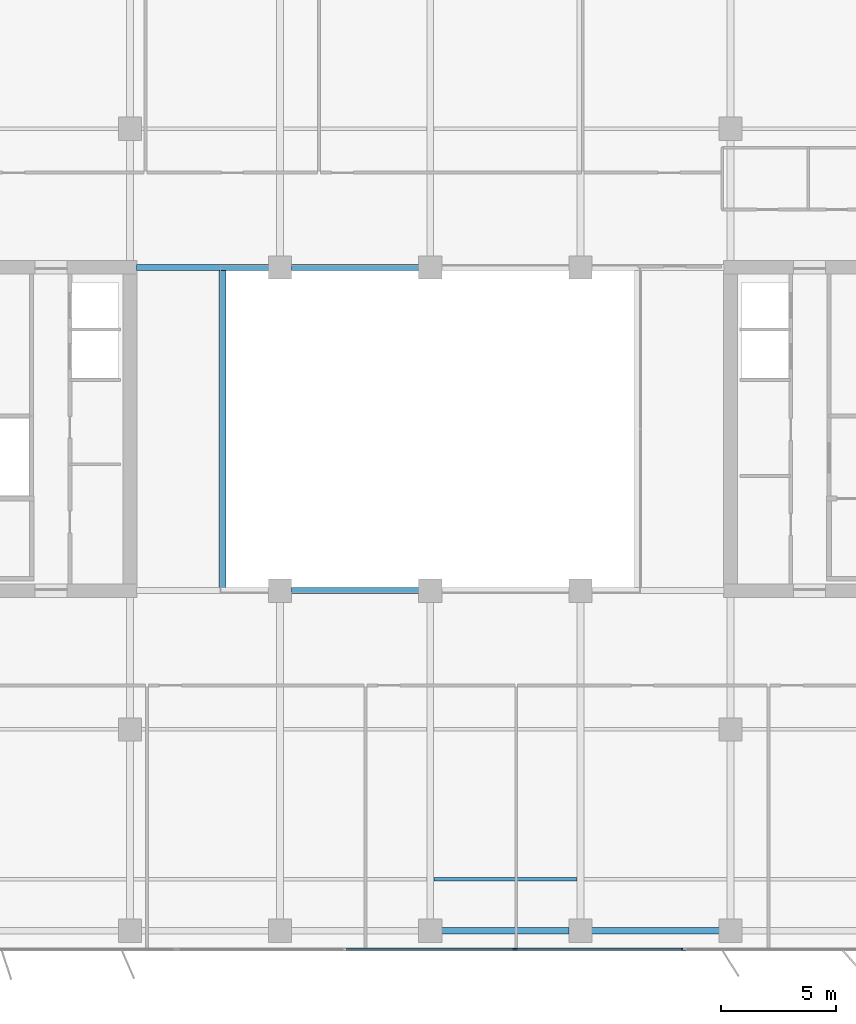
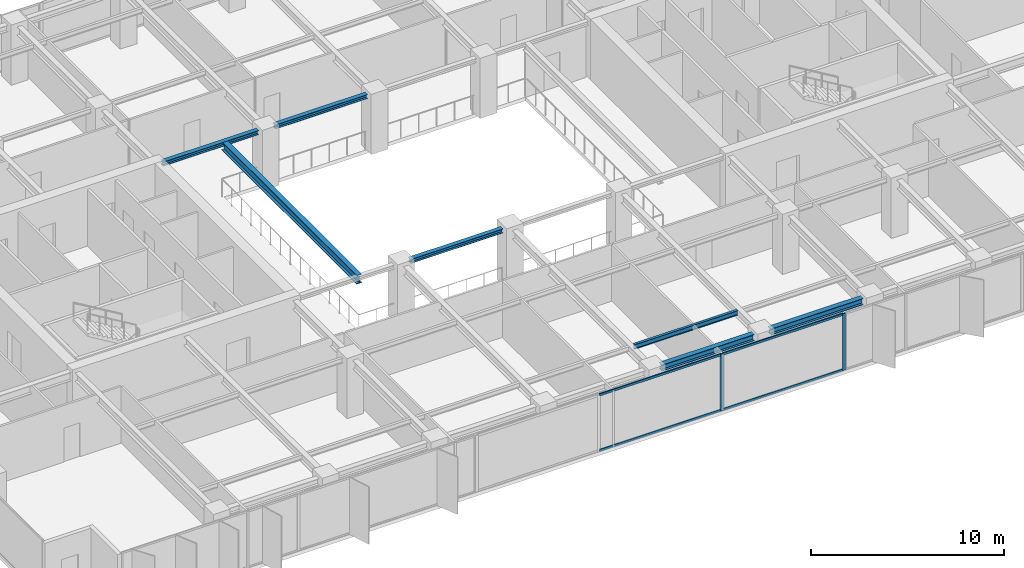
# One storey, part 5 of 22: 7 beams, 6 members, 1 element without a shape of its own.
"""IFC4 building model written with IfcOpenShell, lengths in metres."""

import ifcopenshell
import ifcopenshell.guid

model = None  # the IFC model being written
_history = None  # IfcOwnerHistory: only IFC2X3 demands one
_inside = {}  # id of a spatial element -> (the spatial element, [elements in it])
_under = {}  # id of a project, library or spatial element -> (it, [spatial elements below it])
_declared = {}  # id of a project -> (the project, [libraries it declares])
_typed = {}  # id of a type object -> (the type object, [elements of that type])
_made_of = {}  # id of a material, layer set ... -> (it, [elements and type objects made of it])


def new_model(schema):
    """Start an empty IFC model of exactly this schema.

    Asked for "IFC4X3", IfcOpenShell would pick the latest addendum, in which some entities
    have other attributes; the version numbers below select the first issue.
    IFC2X3 requires an IfcOwnerHistory on every rooted entity: one is made here for all.
    """
    global model, _history
    if schema == "IFC4X3":
        model = ifcopenshell.file(schema_version=(4, 3, 0, 0))
    else:
        model = ifcopenshell.file(schema=schema)
    _inside.clear()
    _under.clear()
    _declared.clear()
    _typed.clear()
    _made_of.clear()
    _history = None
    if model.schema == "IFC2X3":
        org = make("IfcOrganization", Name="unknown")
        user = make(
            "IfcPersonAndOrganization",
            ThePerson=make("IfcPerson", FamilyName="unknown"),
            TheOrganization=org,
        )
        app = make(
            "IfcApplication",
            ApplicationDeveloper=org,
            Version="unknown",
            ApplicationFullName="unknown",
            ApplicationIdentifier="unknown",
        )
        _history = make(
            "IfcOwnerHistory",
            OwningUser=user,
            OwningApplication=app,
            ChangeAction="ADDED",
            CreationDate=0,
        )
    return model


def make(cls, **values):
    """One entity of the class cls with the attributes given. An attribute that is None is left unset."""
    return model.create_entity(
        cls, **{name: value for name, value in values.items() if value is not None}
    )


def rooted(cls, **values):
    """An entity with a GlobalId (a new one), such as an element, a storey or a relation."""
    return make(cls, GlobalId=ifcopenshell.guid.new(), OwnerHistory=_history, **values)


def si_unit(unit_type, name, prefix=None):
    """IfcSIUnit, for example si_unit("LENGTHUNIT", "METRE", prefix="MILLI")."""
    return make("IfcSIUnit", UnitType=unit_type, Prefix=prefix, Name=name)


def assignment(units):
    """IfcUnitAssignment: the units of a project."""
    return None if units is None else make("IfcUnitAssignment", Units=units)


def point(xyz):
    """IfcCartesianPoint."""
    return None if xyz is None else make("IfcCartesianPoint", Coordinates=xyz)


def direction(xyz):
    """IfcDirection."""
    return None if xyz is None else make("IfcDirection", DirectionRatios=xyz)


def frame(location, z_axis=None, x_axis=None):
    """IfcAxis2Placement3D, a coordinate frame: its origin and axes. An axis left out is left unset."""
    return make(
        "IfcAxis2Placement3D",
        Location=point(location),
        Axis=direction(z_axis),
        RefDirection=direction(x_axis),
    )


def frame_2d(location, x_axis=None):
    """IfcAxis2Placement2D, a coordinate frame in the plane: its origin and x axis."""
    return make(
        "IfcAxis2Placement2D", Location=point(location), RefDirection=direction(x_axis)
    )


def origin():
    """The frame at (0, 0, 0) with its axes left unset."""
    return frame((0.0, 0.0, 0.0))


def origin_2d():
    """The frame at (0, 0) in the plane with its x axis left unset."""
    return frame_2d((0.0, 0.0))


def place(relative_to, where):
    """IfcLocalPlacement: puts the frame where relative to a parent placement (None: the world)."""
    return make(
        "IfcLocalPlacement", PlacementRelTo=relative_to, RelativePlacement=where
    )


def context(
    kind, dimensions, precision=None, world=None, true_north=None, identifier=None
):
    """IfcGeometricRepresentationContext, for example the 3D "Model" context."""
    return make(
        "IfcGeometricRepresentationContext",
        ContextIdentifier=identifier,
        ContextType=kind,
        CoordinateSpaceDimension=dimensions,
        Precision=precision,
        WorldCoordinateSystem=world,
        TrueNorth=true_north,
    )


def subcontext(parent, identifier, kind, view, scale=None):
    """IfcGeometricRepresentationSubContext, for example "Body" below "Model"."""
    return make(
        "IfcGeometricRepresentationSubContext",
        ContextIdentifier=identifier,
        ContextType=kind,
        ParentContext=parent,
        TargetScale=scale,
        TargetView=view,
    )


def project(units=None, contexts=None):
    """IfcProject with its units and contexts."""
    return rooted(
        "IfcProject",
        Name="project",
        RepresentationContexts=contexts,
        UnitsInContext=assignment(units),
    )


def spatial(cls, under=None, at=None, **own):
    """A site, building, storey or space (cls), placed at a placement, below another one or the project."""
    s = rooted(cls, ObjectPlacement=at, **own)
    if under is not None:
        _under.setdefault(under.id(), (under, []))[1].append(s)
    return s


def profile(cls, at=None, kind="AREA", **sizes):
    """A parametric profile (cls). Its sizes go by their IFC names, for example OverallWidth=200.0."""
    return make(cls, ProfileType=kind, Position=at, **sizes)


def rectangle(**sizes):
    """IfcRectangleProfileDef."""
    return profile("IfcRectangleProfileDef", **sizes)


def i_section(**sizes):
    """IfcIShapeProfileDef."""
    return profile("IfcIShapeProfileDef", **sizes)


def extrude(swept, where, along, depth):
    """IfcExtrudedAreaSolid: the profile swept, set in the frame where, extruded along a direction by depth."""
    return make(
        "IfcExtrudedAreaSolid",
        SweptArea=swept,
        Position=where,
        ExtrudedDirection=direction(along),
        Depth=depth,
    )


def shape(context_of_items, identifier, shape_type, items):
    """IfcShapeRepresentation: the items that make up one representation, for example the "Body"."""
    return make(
        "IfcShapeRepresentation",
        ContextOfItems=context_of_items,
        RepresentationIdentifier=identifier,
        RepresentationType=shape_type,
        Items=items,
    )


def material(Name=None, Category=None):
    """IfcMaterial."""
    return make("IfcMaterial", Name=Name, Category=Category)


def layer(
    of_material, thickness, ventilated=None, Name=None, Category=None, Priority=None
):
    """IfcMaterialLayer: one layer of a wall or slab, of a material (None: an air gap)."""
    return make(
        "IfcMaterialLayer",
        Material=of_material,
        LayerThickness=thickness,
        IsVentilated=ventilated,
        Name=Name,
        Category=Category,
        Priority=Priority,
    )


def layer_set(layers, Name=None):
    """IfcMaterialLayerSet."""
    return make("IfcMaterialLayerSet", MaterialLayers=layers, LayerSetName=Name)


def material_profile(
    of_material, cross_section, Name=None, Category=None, Priority=None
):
    """IfcMaterialProfile: a cross section and its material."""
    return make(
        "IfcMaterialProfile",
        Name=Name,
        Material=of_material,
        Profile=cross_section,
        Priority=Priority,
        Category=Category,
    )


def profile_set(profiles, Name=None, composite=None):
    """IfcMaterialProfileSet."""
    return make(
        "IfcMaterialProfileSet",
        Name=Name,
        MaterialProfiles=profiles,
        CompositeProfile=composite,
    )


def made_of(thing, what):
    """Note that an element or type object is made of a material, layer set ...; save() writes the relation."""
    if what is not None:
        _made_of.setdefault(what.id(), (what, []))[1].append(thing)
    return thing


def type_object(cls, material=None, **own):
    """A type object (cls), such as IfcWallType, which elements share."""
    return made_of(rooted(cls, **own), material)


def element(
    cls,
    number,
    at=None,
    inside=None,
    cuts=None,
    type_object=None,
    material=None,
    context=None,
    identifier="Body",
    shape_type=None,
    held_by="IfcProductDefinitionShape",
    body=None,
    shapes=None,
    **own,
):
    """One element of the class cls, such as IfcWall. Its Tag is "e" and its number.

    at: its placement. inside: the storey or other place that contains it. cuts: it is an
    opening in that element (IfcRelVoidsElement). A single representation is given by context,
    identifier, shape_type and body (its items); several are given by shapes. held_by: the class
    of the entity that holds the representations. save() writes the other relations.
    """
    e = rooted(cls, Tag="e%d" % number, ObjectPlacement=at, **own)
    if body is not None:
        shapes = [shape(context, identifier, shape_type, body)]
    if shapes is not None:
        e.Representation = make(held_by, Representations=shapes)
    if inside is not None:
        _inside.setdefault(inside.id(), (inside, []))[1].append(e)
    if cuts is not None:
        rooted(
            "IfcRelVoidsElement", RelatingBuildingElement=cuts, RelatedOpeningElement=e
        )
    if type_object is not None:
        _typed.setdefault(type_object.id(), (type_object, []))[1].append(e)
    return made_of(e, material)


def aggregate(whole, parts):
    """IfcRelAggregates: a whole, such as a stair, and the parts it consists of."""
    return rooted("IfcRelAggregates", RelatingObject=whole, RelatedObjects=parts)


def save(model, path):
    """Write the relations noted so far, then the file.

    IfcRelAggregates (storeys below a building ...), IfcRelContainedInSpatialStructure (elements
    in a storey), IfcRelDefinesByType, IfcRelAssociatesMaterial and IfcRelDeclares: one each for
    every whole, place, type object, material and project.
    """
    for whole, parts in _under.values():
        aggregate(whole, parts)
    for where, things in _inside.values():
        rooted(
            "IfcRelContainedInSpatialStructure",
            RelatedElements=things,
            RelatingStructure=where,
        )
    for kind, things in _typed.values():
        rooted("IfcRelDefinesByType", RelatedObjects=things, RelatingType=kind)
    for what, things in _made_of.values():
        rooted("IfcRelAssociatesMaterial", RelatedObjects=things, RelatingMaterial=what)
    for by, libraries in _declared.values():
        rooted("IfcRelDeclares", RelatingContext=by, RelatedDefinitions=libraries)
    model.write(path)


model = new_model("IFC4")

# Units and contexts
model_context = context("Model", 3, precision=1e-05, world=origin(), true_north=direction((0.0, 1.0)))
body_context = subcontext(model_context, "Body", "Model", "MODEL_VIEW")
ifc_project = project(units=[si_unit("LENGTHUNIT", "METRE"), si_unit("AREAUNIT", "SQUARE_METRE"), si_unit("VOLUMEUNIT", "CUBIC_METRE"), si_unit("PLANEANGLEUNIT", "RADIAN"), si_unit("MASSUNIT", "GRAM", prefix="KILO")], contexts=[model_context])

# Site, building, storey
site_placement = place(None, origin())
site = spatial("IfcSite", under=ifc_project, at=site_placement, CompositionType="ELEMENT")
building_placement = place(site_placement, origin())
building = spatial("IfcBuilding", under=site, at=building_placement, Name="Putna Gate Headquarters", CompositionType="ELEMENT")
storey_placement = place(building_placement, frame((0.0, 0.0, 163.199951171875)))
storey = spatial("IfcBuildingStorey", under=building, at=storey_placement, Name="L40", CompositionType="ELEMENT", Elevation=163.199951171875)

# Beams
ifc_material_1 = material(Name="Steel S355J2", Category="steel")
ifc_material_profile_1 = material_profile(ifc_material_1, i_section(OverallWidth=0.260009765625, OverallDepth=0.260009765625, WebThickness=0.010009765625, FlangeThickness=0.017578125, at=origin_2d()), Name="Steel S355J2")
ifc_profile_set_1 = profile_set([ifc_material_profile_1], Name="Steel S355J2")
beam_type_1 = type_object("IfcBeamType", Name="BM-ATRIUM-HEB260", PredefinedType="BEAM", material=ifc_profile_set_1)
beam_1_placement = place(storey_placement, frame((32.988037109375, 19.0, 3.442138671875), z_axis=(1.0, 0.0, 0.0), x_axis=(0.0, 1.0, 0.0)))
element("IfcBeam", 1, at=beam_1_placement, inside=storey, type_object=beam_type_1, Name="L40 Atrium Edge Beam AS2", PredefinedType="BEAM", context=body_context, shape_type="SweptSolid", body=[
    extrude(i_section(OverallWidth=0.260009765625, OverallDepth=0.260009765625, WebThickness=0.010009765625, FlangeThickness=0.017578125, at=origin_2d()), origin(), (0.0, 0.0, 1.0), 5.52392578125),
])
beam_2_placement = place(storey_placement, frame((26.284912109375, 33.0, 3.442138671875), z_axis=(1.0, 0.0, 0.0), x_axis=(0.0, 1.0, 0.0)))
element("IfcBeam", 2, at=beam_2_placement, inside=storey, type_object=beam_type_1, Name="L40 Atrium Edge Beam AN1", PredefinedType="BEAM", context=body_context, shape_type="SweptSolid", body=[
    extrude(i_section(OverallWidth=0.260009765625, OverallDepth=0.260009765625, WebThickness=0.010009765625, FlangeThickness=0.017578125, at=origin_2d()), origin(), (0.0, 0.0, 1.0), 5.72705078125),
])
beam_3_placement = place(storey_placement, frame((32.988037109375, 33.0, 3.442138671875), z_axis=(1.0, 0.0, 0.0), x_axis=(0.0, 1.0, 0.0)))
element("IfcBeam", 3, at=beam_3_placement, inside=storey, type_object=beam_type_1, Name="L40 Atrium Edge Beam AN2", PredefinedType="BEAM", context=body_context, shape_type="SweptSolid", body=[
    extrude(i_section(OverallWidth=0.260009765625, OverallDepth=0.260009765625, WebThickness=0.010009765625, FlangeThickness=0.017578125, at=origin_2d()), origin(), (0.0, 0.0, 1.0), 5.52392578125),
])
ifc_material_profile_2 = material_profile(ifc_material_1, i_section(OverallWidth=0.300048828125, OverallDepth=0.550048828125, WebThickness=0.014892578125, FlangeThickness=0.029052734375, at=origin_2d()), Name="Steel S355J2")
ifc_profile_set_2 = profile_set([ifc_material_profile_2], Name="Steel S355J2")
beam_type_2 = type_object("IfcBeamType", Name="BM-GIRD-Z3-HEB550", PredefinedType="USERDEFINED", material=ifc_profile_set_2)
beam_4_placement = place(storey_placement, frame((30.0, 19.010009765625, 3.297119140625), z_axis=(0.0, 1.0, 0.0), x_axis=(-1.0, 0.0, 0.0)))
element("IfcBeam", 4, at=beam_4_placement, inside=storey, type_object=beam_type_2, Name="L40 Atrium Trim Girder AW", ObjectType="GIRDER", PredefinedType="USERDEFINED", context=body_context, shape_type="SweptSolid", body=[
    extrude(i_section(OverallWidth=0.300048828125, OverallDepth=0.550048828125, WebThickness=0.014892578125, FlangeThickness=0.029052734375, at=origin_2d()), origin(), (0.0, 0.0, 1.0), 13.97998046875),
])
ifc_material_profile_3 = material_profile(ifc_material_1, i_section(OverallWidth=0.14990234375, OverallDepth=0.300048828125, WebThickness=0.007080078125, FlangeThickness=0.0107421875, at=origin_2d()), Name="Steel S355J2")
ifc_profile_set_3 = profile_set([ifc_material_profile_3], Name="Steel S355J2")
beam_type_3 = type_object("IfcBeamType", Name="BM-SEC-Z3-IPE300", PredefinedType="JOIST", material=ifc_profile_set_3)
beam_5_placement = place(storey_placement, frame((39.154052734375, 6.5, 3.422119140625), z_axis=(1.0, 0.0, 0.0), x_axis=(0.0, 1.0, 0.0)))
element("IfcBeam", 5, at=beam_5_placement, inside=storey, type_object=beam_type_3, Name="L40 South Secondary Beam 5", PredefinedType="JOIST", context=body_context, shape_type="SweptSolid", body=[
    extrude(i_section(OverallWidth=0.14990234375, OverallDepth=0.300048828125, WebThickness=0.007080078125, FlangeThickness=0.0107421875, at=origin_2d()), origin(), (0.0, 0.0, 1.0), 6.19189453125),
])
ifc_material_profile_4 = material_profile(ifc_material_1, i_section(OverallWidth=0.300048828125, OverallDepth=0.39990234375, WebThickness=0.013427734375, FlangeThickness=0.02392578125, at=origin_2d()), Name="Steel S355J2")
ifc_profile_set_4 = profile_set([ifc_material_profile_4], Name="Steel S355J2")
beam_type_4 = type_object("IfcBeamType", Name="BM-SPAN-Z3-HEB400", PredefinedType="SPANDREL", material=ifc_profile_set_4)
for number, where, z_axis, x_axis, name in (
    (6, (39.488037109375, 4.280029296875, 3.3720703125), (1.0, 0.0, 0.0), (0.0, 1.0, 0.0), "L40 S Perimeter Spandrel 5"),
    (7, (45.988037109375, 4.280029296875, 3.3720703125), (1.0, 0.0, 0.0), (0.0, 1.0, 0.0), "L40 S Perimeter Spandrel 6"),
):
    element("IfcBeam", number, at=place(storey_placement, frame(where, z_axis=z_axis, x_axis=x_axis)), inside=storey, type_object=beam_type_4, Name=name, PredefinedType="SPANDREL", context=body_context, shape_type="SweptSolid", body=[
        extrude(i_section(OverallWidth=0.300048828125, OverallDepth=0.39990234375, WebThickness=0.013427734375, FlangeThickness=0.02392578125, at=origin_2d()), origin(), (0.0, 0.0, 1.0), 5.52392578125),
    ])

# Curtain wall, members
ifc_material_2 = material(Name="Anodised bronze aluminium curtain wall", Category="aluminium")
ifc_layer = layer(ifc_material_2, 0.179931640625)
ifc_layer_set = layer_set([ifc_layer], Name="Anodised bronze aluminium curtain wall")
curtain_wall_type = type_object("IfcCurtainWallType", Name="CW-SYS-ATR", PredefinedType="USERDEFINED", material=ifc_layer_set)
curtain_wall_placement = place(storey_placement, origin())
curtain_wall = element("IfcCurtainWall", 8, at=curtain_wall_placement, inside=storey, type_object=curtain_wall_type, Name="L40 South Atrium Clear Glazing", ObjectType="ATRIUM GLAZING", PredefinedType="USERDEFINED")
ifc_material_3 = material(Name="Anodised bronze aluminium EN AW-6060", Category="aluminium")
ifc_material_profile_5 = material_profile(ifc_material_3, rectangle(XDim=0.070068359375, YDim=0.179931640625, at=origin_2d()), Name="Anodised bronze aluminium EN AW-6060")
ifc_profile_set_5 = profile_set([ifc_material_profile_5], Name="Anodised bronze aluminium EN AW-6060")
member_type_1 = type_object("IfcMemberType", Name="MULL-CWM-AT", PredefinedType="MULLION", material=ifc_profile_set_5)
member_1_placement = place(storey_placement, frame((42.666748046875, 3.47998046875, 0.0), z_axis=(0.0, 0.0, 1.0), x_axis=(0.0, 1.0, 0.0)))
member_1 = element("IfcMember", 9, at=member_1_placement, type_object=member_type_1, Name="CWS-AT mullion 3", PredefinedType="MULLION", context=body_context, shape_type="SweptSolid", body=[
    extrude(rectangle(XDim=0.070068359375, YDim=0.179931640625, at=origin_2d()), origin(), (0.0, 0.0, 1.0), 3.572021484375),
])
member_2_placement = place(storey_placement, frame((49.965087890625, 3.47998046875, 0.0), z_axis=(0.0, 0.0, 1.0), x_axis=(0.0, 1.0, 0.0)))
member_2 = element("IfcMember", 10, at=member_2_placement, type_object=member_type_1, Name="CWS-AT mullion 4", PredefinedType="MULLION", context=body_context, shape_type="SweptSolid", body=[
    extrude(rectangle(XDim=0.070068359375, YDim=0.179931640625, at=origin_2d()), origin(), (0.0, 0.0, 1.0), 3.572021484375),
])
ifc_material_profile_6 = material_profile(ifc_material_3, rectangle(XDim=0.070068359375, YDim=0.139892578125, at=origin_2d()), Name="Anodised bronze aluminium EN AW-6060")
ifc_profile_set_6 = profile_set([ifc_material_profile_6], Name="Anodised bronze aluminium EN AW-6060")
member_type_2 = type_object("IfcMemberType", Name="TRAN-CWT-AT", PredefinedType="USERDEFINED", material=ifc_profile_set_6)
member_3_placement = place(storey_placement, frame((35.368408203125, 3.47998046875, 0.03515625), z_axis=(1.0, 0.0, 0.0), x_axis=(0.0, 1.0, 0.0)))
member_3 = element("IfcMember", 11, at=member_3_placement, type_object=member_type_2, Name="CWS-AT transom 2.1", ObjectType="TRANSOM", PredefinedType="USERDEFINED", context=body_context, shape_type="SweptSolid", body=[
    extrude(rectangle(XDim=0.070068359375, YDim=0.139892578125, at=origin_2d()), origin(), (0.0, 0.0, 1.0), 7.26318359375),
])
member_4_placement = place(storey_placement, frame((35.368408203125, 3.47998046875, 3.537109375), z_axis=(1.0, 0.0, 0.0), x_axis=(0.0, 1.0, 0.0)))
member_4 = element("IfcMember", 12, at=member_4_placement, type_object=member_type_2, Name="CWS-AT transom 2.2", ObjectType="TRANSOM", PredefinedType="USERDEFINED", context=body_context, shape_type="SweptSolid", body=[
    extrude(rectangle(XDim=0.070068359375, YDim=0.139892578125, at=origin_2d()), origin(), (0.0, 0.0, 1.0), 7.26318359375),
])
member_5_placement = place(storey_placement, frame((42.70166015625, 3.47998046875, 0.03515625), z_axis=(1.0, 0.0, 0.0), x_axis=(0.0, 1.0, 0.0)))
member_5 = element("IfcMember", 13, at=member_5_placement, type_object=member_type_2, Name="CWS-AT transom 3.1", ObjectType="TRANSOM", PredefinedType="USERDEFINED", context=body_context, shape_type="SweptSolid", body=[
    extrude(rectangle(XDim=0.070068359375, YDim=0.139892578125, at=origin_2d()), origin(), (0.0, 0.0, 1.0), 7.228271484375),
])
member_6_placement = place(storey_placement, frame((42.70166015625, 3.47998046875, 3.537109375), z_axis=(1.0, 0.0, 0.0), x_axis=(0.0, 1.0, 0.0)))
member_6 = element("IfcMember", 14, at=member_6_placement, type_object=member_type_2, Name="CWS-AT transom 3.2", ObjectType="TRANSOM", PredefinedType="USERDEFINED", context=body_context, shape_type="SweptSolid", body=[
    extrude(rectangle(XDim=0.070068359375, YDim=0.139892578125, at=origin_2d()), origin(), (0.0, 0.0, 1.0), 7.228271484375),
])
aggregate(curtain_wall, [member_1, member_2, member_3, member_4, member_5, member_6])

save(model, "model.ifc")
